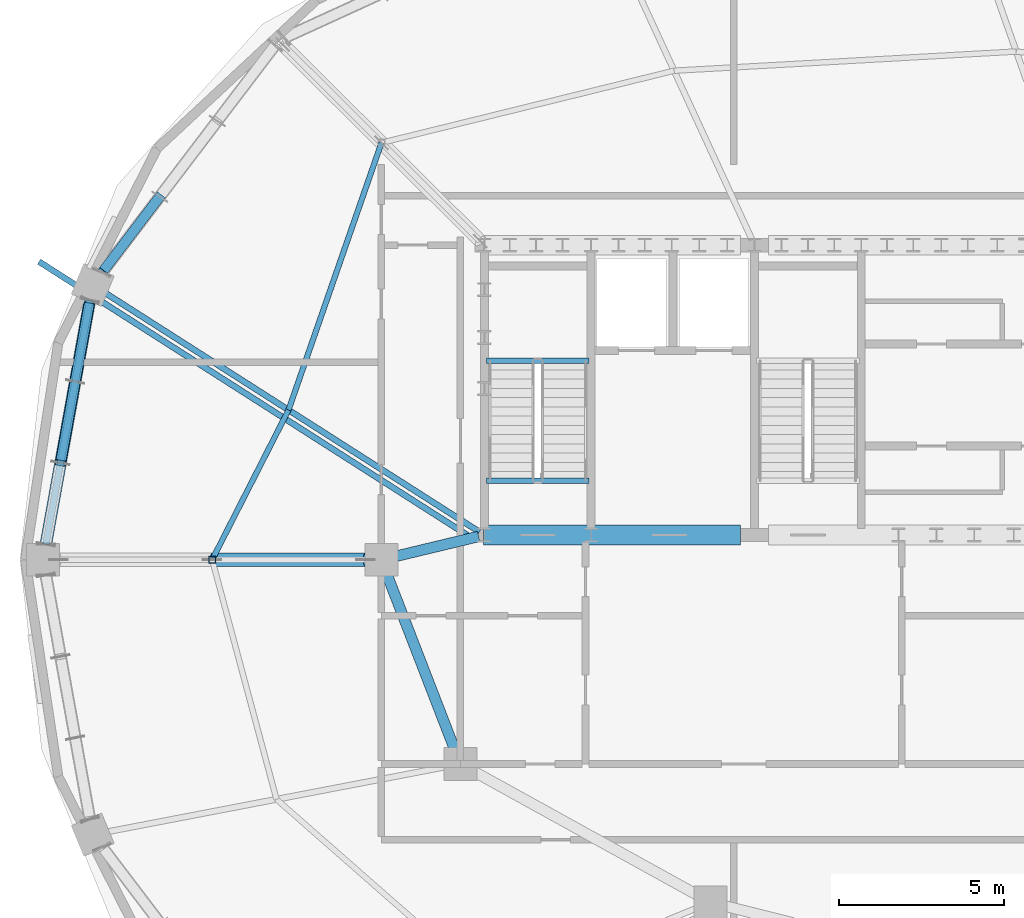
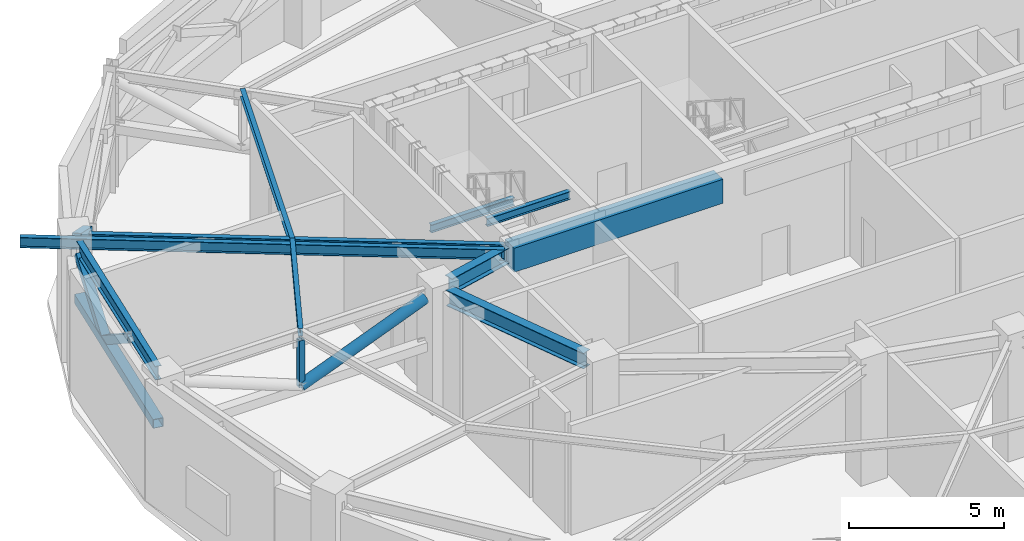
# One storey, part 3 of 20: 10 beams, 6 members.
"""IFC4 building model written with IfcOpenShell, lengths in metres."""

from ifc_helpers import new_model, si_unit, direction, frame, origin, origin_2d, place, context, subcontext, project, spatial, rectangle, hollow_rectangle, hollow_circle, i_section, extrude, material, material_profile, profile_set, type_object, element, save


model = new_model("IFC4")

# Units and contexts
model_context = context("Model", 3, precision=1e-05, world=origin(), true_north=direction((0.0, 1.0)))
body_context = subcontext(model_context, "Body", "Model", "MODEL_VIEW")
ifc_project = project(units=[si_unit("LENGTHUNIT", "METRE"), si_unit("AREAUNIT", "SQUARE_METRE"), si_unit("VOLUMEUNIT", "CUBIC_METRE"), si_unit("PLANEANGLEUNIT", "RADIAN"), si_unit("MASSUNIT", "GRAM", prefix="KILO")], contexts=[model_context])

# Site, building, storey
site_placement = place(None, origin())
site = spatial("IfcSite", under=ifc_project, at=site_placement, CompositionType="ELEMENT")
building_placement = place(site_placement, origin())
building = spatial("IfcBuilding", under=site, at=building_placement, Name="Haldorwick Loom Tower", CompositionType="ELEMENT")
storey_placement = place(building_placement, frame((0.0, 0.0, 222.10009765625)))
storey = spatial("IfcBuildingStorey", under=building, at=storey_placement, Name="L60", CompositionType="ELEMENT", Elevation=222.10009765625)

# Beams
ifc_material_1 = material(Name="Steel CSA G40.21 350W", Category="steel")
ifc_material_profile_1 = material_profile(ifc_material_1, i_section(OverallWidth=0.179931640625, OverallDepth=0.4130859375, WebThickness=0.009765625, FlangeThickness=0.01611328125, at=origin_2d()), Name="W410X74", Category="steel")
ifc_profile_set_1 = profile_set([ifc_material_profile_1], Name="Steel CSA G40.21 350W")
beam_type_1 = type_object("IfcBeamType", Name="STR-BM-BAL410", PredefinedType="BEAM", material=ifc_profile_set_1)
beam_1_placement = place(storey_placement, frame((21.62939453125, 26.60986328125, 4.553466796875), z_axis=(-0.842844376394, 0.538157372133, 0.0), x_axis=(-0.538157372133, -0.842844376394, 0.0)))
element("IfcBeam", 1, at=beam_1_placement, inside=storey, type_object=beam_type_1, Name="L60 Continuous Back-Spanned Balcony Beam 3", PredefinedType="BEAM", context=body_context, shape_type="SweptSolid", body=[
    extrude(i_section(OverallWidth=0.179931640625, OverallDepth=0.4130859375, WebThickness=0.009765625, FlangeThickness=0.01611328125, at=origin_2d()), origin(), (0.0, 0.0, 1.0), 15.680419921875),
])
ifc_material_2 = material(Name="Concrete C50 (50 MPa)", Category="concrete")
ifc_material_profile_2 = material_profile(ifc_material_2, rectangle(XDim=0.60009765625, YDim=0.949951171875, at=origin_2d()), Name="RC600X950", Category="concrete")
ifc_profile_set_2 = profile_set([ifc_material_profile_2], Name="Concrete C50 (50 MPa)")
beam_type_2 = type_object("IfcBeamType", Name="STR-BM-CB950", PredefinedType="LINTEL", material=ifc_profile_set_2)
beam_2_placement = place(storey_placement, frame((21.89990234375, 26.75, 4.284912109375), z_axis=(1.0, 0.0, 0.0), x_axis=(0.0, 1.0, 0.0)))
element("IfcBeam", 2, at=beam_2_placement, inside=storey, type_object=beam_type_2, Name="L60 Core Coupling Beam CB-S1", PredefinedType="LINTEL", context=body_context, shape_type="SweptSolid", body=[
    extrude(rectangle(XDim=0.60009765625, YDim=0.949951171875, at=origin_2d()), origin(), (0.0, 0.0, 1.0), 7.800048828125),
])
ifc_material_profile_3 = material_profile(ifc_material_1, i_section(OverallWidth=0.166015625, OverallDepth=0.31298828125, WebThickness=0.006591796875, FlangeThickness=0.01123046875, at=origin_2d()), Name="W310X45", Category="steel")
ifc_profile_set_3 = profile_set([ifc_material_profile_3], Name="Steel CSA G40.21 350W")
beam_type_3 = type_object("IfcBeamType", Name="STR-BM-J310", PredefinedType="JOIST", material=ifc_profile_set_3)
beam_3_placement = place(storey_placement, frame((18.80615234375, 38.657470703125, 4.603515625), z_axis=(-0.328550395803, -0.944486441098, 0.0), x_axis=(0.944486441098, -0.328550395803, 0.0)))
element("IfcBeam", 3, at=beam_3_placement, inside=storey, type_object=beam_type_3, Name="L60 Mid-Bay Secondary Joist 7", PredefinedType="JOIST", context=body_context, shape_type="SweptSolid", body=[
    extrude(i_section(OverallWidth=0.166015625, OverallDepth=0.31298828125, WebThickness=0.006591796875, FlangeThickness=0.01123046875, at=origin_2d()), origin(), (0.0, 0.0, 1.0), 8.587890625),
])
beam_4_placement = place(storey_placement, frame((15.984619140625, 30.54638671875, 4.603515625), z_axis=(-0.454203827517, -0.890897796085, 0.0), x_axis=(0.890897796085, -0.454203827517, 0.0)))
element("IfcBeam", 4, at=beam_4_placement, inside=storey, type_object=beam_type_3, Name="L60 Mid-Bay Secondary Joist 8", PredefinedType="JOIST", context=body_context, shape_type="SweptSolid", body=[
    extrude(i_section(OverallWidth=0.166015625, OverallDepth=0.31298828125, WebThickness=0.006591796875, FlangeThickness=0.01123046875, at=origin_2d()), origin(), (0.0, 0.0, 1.0), 5.103271484375),
])
ifc_material_profile_4 = material_profile(ifc_material_1, i_section(OverallWidth=0.179931640625, OverallDepth=0.4130859375, WebThickness=0.009765625, FlangeThickness=0.01611328125, at=origin_2d()), Name="W410X74", Category="steel")
ifc_profile_set_4 = profile_set([ifc_material_profile_4], Name="Steel CSA G40.21 350W")
beam_type_4 = type_object("IfcBeamType", Name="STR-BM-J410", PredefinedType="JOIST", material=ifc_profile_set_4)
beam_5_placement = place(storey_placement, frame((21.780029296875, 26.845703125, 4.553466796875), z_axis=(-0.842841662301, 0.538161622833, 0.0), x_axis=(-0.538161622833, -0.842841662301, 0.0)))
element("IfcBeam", 5, at=beam_5_placement, inside=storey, type_object=beam_type_4, Name="L60 Radial Floor Girder 8", PredefinedType="JOIST", context=body_context, shape_type="SweptSolid", body=[
    extrude(i_section(OverallWidth=0.179931640625, OverallDepth=0.4130859375, WebThickness=0.009765625, FlangeThickness=0.01611328125, at=origin_2d()), origin(), (0.0, 0.0, 1.0), 13.45556640625),
])
ifc_material_profile_5 = material_profile(ifc_material_1, i_section(OverallWidth=0.2119140625, OverallDepth=0.5439453125, WebThickness=0.01318359375, FlangeThickness=0.021240234375, at=origin_2d()), Name="W530X123", Category="steel")
ifc_profile_set_5 = profile_set([ifc_material_profile_5], Name="Steel CSA G40.21 350W")
beam_type_5 = type_object("IfcBeamType", Name="STR-BM-SP530", PredefinedType="SPANDREL", material=ifc_profile_set_5)
beam_6_placement = place(storey_placement, frame((9.95458984375, 33.875, 4.48779296875), z_axis=(-0.177580880494, -0.984106209148, 0.0), x_axis=(0.984106209148, -0.177580880494, 0.0)))
element("IfcBeam", 6, at=beam_6_placement, inside=storey, type_object=beam_type_5, Name="L60 Perimeter Spandrel 8", PredefinedType="SPANDREL", context=body_context, shape_type="SweptSolid", body=[
    extrude(i_section(OverallWidth=0.2119140625, OverallDepth=0.5439453125, WebThickness=0.01318359375, FlangeThickness=0.021240234375, at=origin_2d()), origin(), (0.0, 0.0, 1.0), 7.527099609375),
])
ifc_material_profile_6 = material_profile(ifc_material_1, i_section(OverallWidth=0.166015625, OverallDepth=0.31298828125, WebThickness=0.006591796875, FlangeThickness=0.01123046875, at=origin_2d()), Name="W310X45", Category="steel")
ifc_profile_set_6 = profile_set([ifc_material_profile_6], Name="Steel CSA G40.21 350W")
beam_type_6 = type_object("IfcBeamType", Name="STR-BM-STRM", PredefinedType="BEAM", material=ifc_profile_set_6)
for number, where, z_axis, x_axis, name in (
    (7, (21.989990234375, 28.39990234375, 4.603515625), (1.0, 0.0, 0.0), (0.0, 1.0, 0.0), "L60 Stair ST-01 Landing Edge Trimmer"),
    (8, (21.989990234375, 32.0400390625, 2.143310546875), (1.0, 0.0, 0.0), (0.0, 1.0, 0.0), "L60 Stair ST-01 Half-Landing Trimmer 1"),
):
    element("IfcBeam", number, at=place(storey_placement, frame(where, z_axis=z_axis, x_axis=x_axis)), inside=storey, type_object=beam_type_6, Name=name, PredefinedType="BEAM", context=body_context, shape_type="SweptSolid", body=[
        extrude(i_section(OverallWidth=0.166015625, OverallDepth=0.31298828125, WebThickness=0.006591796875, FlangeThickness=0.01123046875, at=origin_2d()), origin(), (0.0, 0.0, 1.0), 3.1201171875),
    ])
ifc_material_profile_7 = material_profile(ifc_material_1, i_section(OverallWidth=0.324951171875, OverallDepth=0.615966796875, WebThickness=0.013916015625, FlangeThickness=0.021484375, at=origin_2d()), Name="W610X174", Category="steel")
ifc_profile_set_7 = profile_set([ifc_material_profile_7], Name="Steel CSA G40.21 350W")
beam_type_7 = type_object("IfcBeamType", Name="STR-BM-W610A", PredefinedType="BEAM", material=ifc_profile_set_7)
beam_7_placement = place(storey_placement, frame((21.028564453125, 20.242919921875, 4.451904296875), z_axis=(-0.36101093026, 0.93256158415, 0.0), x_axis=(-0.93256158415, -0.36101093026, 0.0)))
element("IfcBeam", 9, at=beam_7_placement, inside=storey, type_object=beam_type_7, Name="L60 Inner Ring Girder 8", PredefinedType="BEAM", context=body_context, shape_type="SweptSolid", body=[
    extrude(i_section(OverallWidth=0.324951171875, OverallDepth=0.615966796875, WebThickness=0.013916015625, FlangeThickness=0.021484375, at=origin_2d()), origin(), (0.0, 0.0, 1.0), 5.6982421875),
])
beam_8_placement = place(storey_placement, frame((19.261962890625, 26.110595703125, 4.451904296875), z_axis=(0.972464127734, 0.233052612665, 0.0), x_axis=(-0.233052612665, 0.972464127734, 0.0)))
element("IfcBeam", 10, at=beam_8_placement, inside=storey, type_object=beam_type_7, Name="L60 Inner Ring Girder 9", PredefinedType="BEAM", context=body_context, shape_type="SweptSolid", body=[
    extrude(i_section(OverallWidth=0.324951171875, OverallDepth=0.615966796875, WebThickness=0.013916015625, FlangeThickness=0.021484375, at=origin_2d()), origin(), (0.0, 0.0, 1.0), 2.5654296875),
])

# Members
ifc_material_profile_8 = material_profile(ifc_material_1, hollow_rectangle(XDim=0.3046875, YDim=0.3046875, WallThickness=0.0126953125, at=origin_2d()), Name="HSS305X305X13", Category="steel")
ifc_profile_set_8 = profile_set([ifc_material_profile_8], Name="Steel CSA G40.21 350W")
member_type_1 = type_object("IfcMemberType", Name="STR-MEM-BR305", PredefinedType="BRACE", material=ifc_profile_set_8)
member_1_placement = place(storey_placement, frame((12.075927734375, 37.021484375, 2.5), z_axis=(-0.520484622649, -0.684488847872, 0.510461335191), x_axis=(0.796009170115, -0.60528456208, 0.0)))
element("IfcMember", 11, at=member_1_placement, inside=storey, type_object=member_type_1, Name="L60 Perimeter Belt Truss Web Diagonal 7-3", PredefinedType="BRACE", context=body_context, shape_type="SweptSolid", body=[
    extrude(hollow_rectangle(XDim=0.3046875, YDim=0.3046875, WallThickness=0.0126953125, at=origin_2d()), origin(), (0.0, 0.0, 1.0), 3.361328125),
])
member_2_placement = place(storey_placement, frame((9.95458984375, 33.875, 4.2158203125), z_axis=(-0.146579770823, -0.812333042249, -0.564472673613), x_axis=(0.984107231931, -0.177575212406, 0.0)))
element("IfcMember", 12, at=member_2_placement, inside=storey, type_object=member_type_1, Name="L60 Perimeter Belt Truss Web Diagonal 8-1", PredefinedType="BRACE", context=body_context, shape_type="SweptSolid", body=[
    extrude(hollow_rectangle(XDim=0.3046875, YDim=0.3046875, WallThickness=0.0126953125, at=origin_2d()), origin(), (0.0, 0.0, 1.0), 3.039794921875),
])
member_3_placement = place(storey_placement, frame((9.509033203125, 31.40576171875, 2.5), z_axis=(-0.14658933484, -0.812305722324, 0.564509504251), x_axis=(0.984104163287, -0.177592217739, 0.0)))
element("IfcMember", 13, at=member_3_placement, inside=storey, type_object=member_type_1, Name="L60 Perimeter Belt Truss Web Diagonal 8-2", PredefinedType="BRACE", context=body_context, shape_type="SweptSolid", body=[
    extrude(hollow_rectangle(XDim=0.3046875, YDim=0.3046875, WallThickness=0.0126953125, at=origin_2d()), origin(), (0.0, 0.0, 1.0), 3.03955078125),
])
ifc_material_profile_9 = material_profile(ifc_material_1, hollow_circle(Radius=0.203125, WallThickness=0.0126953125, at=origin_2d()), Name="HSS406X13", Category="steel")
ifc_profile_set_9 = profile_set([ifc_material_profile_9], Name="Steel CSA G40.21 350W")
member_type_2 = type_object("IfcMemberType", Name="STR-MEM-BR406C", PredefinedType="BRACE", material=ifc_profile_set_9)
member_4_placement = place(storey_placement, frame((18.324951171875, 26.0, 4.346923828125), z_axis=(-0.929598051157, 0.0, -0.368574908648), x_axis=(0.0, -1.0, 0.0)))
element("IfcMember", 14, at=member_4_placement, inside=storey, type_object=member_type_2, Name="L60 Outrigger OT-W Inner Diagonal", PredefinedType="BRACE", context=body_context, shape_type="SweptSolid", body=[
    extrude(hollow_circle(Radius=0.203125, WallThickness=0.0126953125, at=origin_2d()), origin(), (0.0, 0.0, 1.0), 5.010986328125),
])
ifc_material_profile_10 = material_profile(ifc_material_1, hollow_rectangle(XDim=0.355712890625, YDim=0.355712890625, WallThickness=0.015869140625, at=origin_2d()), Name="HSS356X356X16", Category="steel")
ifc_profile_set_10 = profile_set([ifc_material_profile_10], Name="Steel CSA G40.21 350W")
member_type_3 = type_object("IfcMemberType", Name="STR-MEM-CH356", PredefinedType="CHORD", material=ifc_profile_set_10)
member_5_placement = place(storey_placement, frame((9.95458984375, 33.875, 2.5), z_axis=(-0.177580880494, -0.984106209148, 0.0), x_axis=(0.984106209148, -0.177580880494, 0.0)))
element("IfcMember", 15, at=member_5_placement, inside=storey, type_object=member_type_3, Name="L60 Perimeter Belt Truss Bottom Chord 8", PredefinedType="CHORD", context=body_context, shape_type="SweptSolid", body=[
    extrude(hollow_rectangle(XDim=0.355712890625, YDim=0.355712890625, WallThickness=0.015869140625, at=origin_2d()), origin(), (0.0, 0.0, 1.0), 7.527099609375),
])
ifc_material_profile_11 = material_profile(ifc_material_1, hollow_rectangle(XDim=0.203125, YDim=0.203125, WallThickness=0.009521484375, at=origin_2d()), Name="HSS203X203X10", Category="steel")
ifc_profile_set_11 = profile_set([ifc_material_profile_11], Name="Steel CSA G40.21 350W")
member_type_4 = type_object("IfcMemberType", Name="STR-MEM-ST203", PredefinedType="STRUT", material=ifc_profile_set_11)
member_6_placement = place(storey_placement, frame((13.666748046875, 26.0, 2.5), z_axis=(0.0, 0.0, 1.0), x_axis=(1.0, 0.0, 0.0)))
element("IfcMember", 16, at=member_6_placement, inside=storey, type_object=member_type_4, Name="L60 Outrigger OT-W Mid Post", PredefinedType="STRUT", context=body_context, shape_type="SweptSolid", body=[
    extrude(hollow_rectangle(XDim=0.203125, YDim=0.203125, WallThickness=0.009521484375, at=origin_2d()), origin(), (0.0, 0.0, 1.0), 1.846923828125),
])

save(model, "model.ifc")
